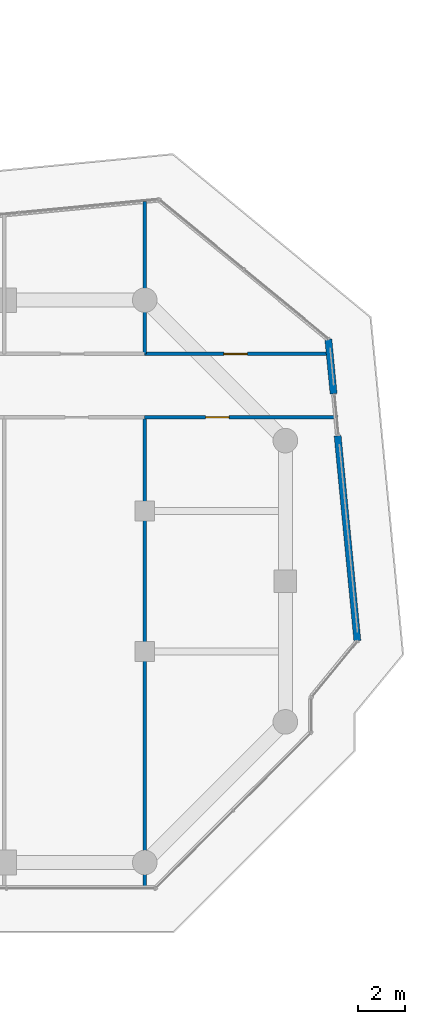
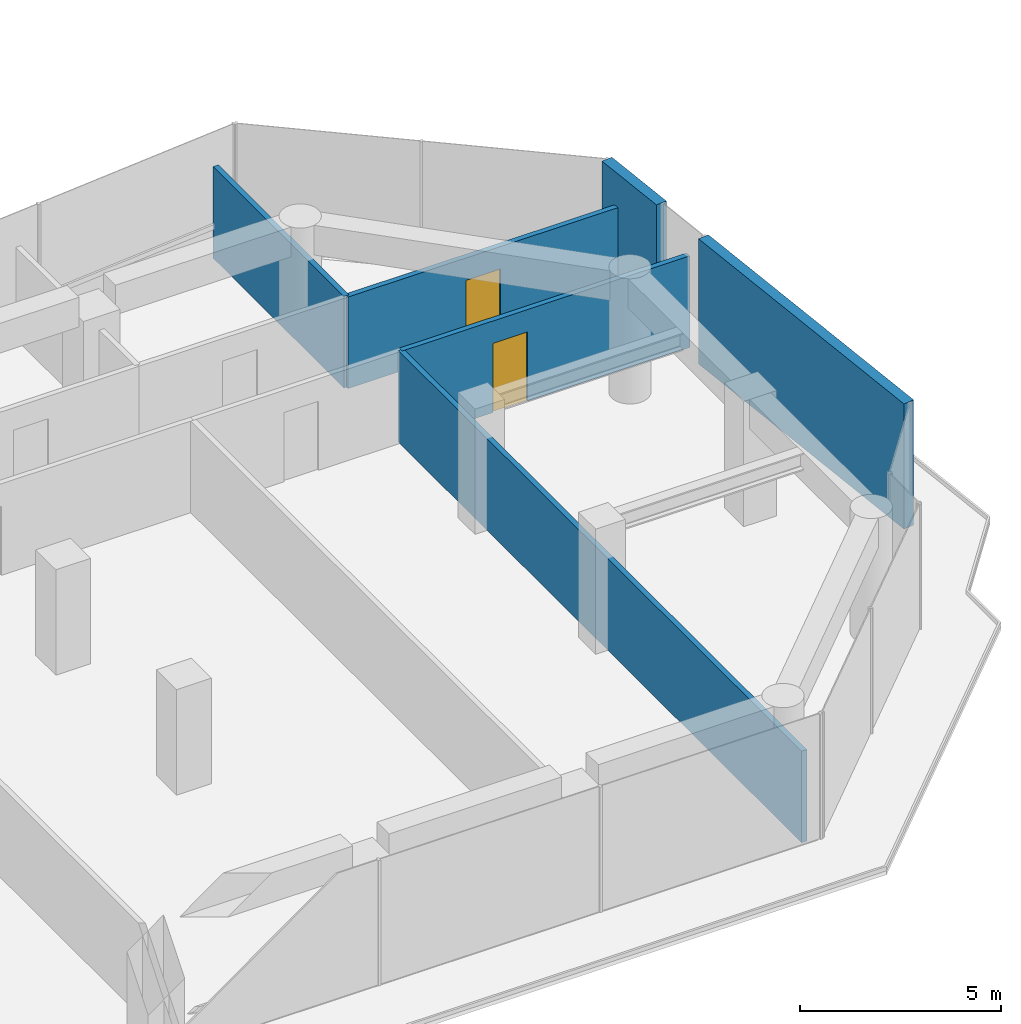
# One storey, part 27 of 30: 6 walls, 2 doors, 2 openings.
"""IFC4 building model written with IfcOpenShell, lengths in metres."""

from ifc_helpers import new_model, si_unit, direction, frame, frame_2d, origin, place, context, subcontext, project, spatial, rectangle, extrude, material, layer, layer_set, type_object, element, fill, save


model = new_model("IFC4")

# Units and contexts
model_context = context("Model", 3, precision=1e-05, world=origin(), true_north=direction((0.0, 1.0)))
body_context = subcontext(model_context, "Body", "Model", "MODEL_VIEW")
ifc_project = project(units=[si_unit("LENGTHUNIT", "METRE"), si_unit("AREAUNIT", "SQUARE_METRE"), si_unit("VOLUMEUNIT", "CUBIC_METRE"), si_unit("PLANEANGLEUNIT", "RADIAN"), si_unit("MASSUNIT", "GRAM", prefix="KILO")], contexts=[model_context])

# Site, building, storey
site_placement = place(None, origin())
site = spatial("IfcSite", under=ifc_project, at=site_placement, CompositionType="ELEMENT")
building_placement = place(site_placement, origin())
building = spatial("IfcBuilding", under=site, at=building_placement, Name="Welwitschia Terrace Campus", CompositionType="ELEMENT")
storey_placement = place(building_placement, frame((0.0, 0.0, 75.199951171875)))
storey = spatial("IfcBuildingStorey", under=building, at=storey_placement, Name="L17", CompositionType="ELEMENT", Elevation=75.199951171875)

# Walls
ifc_material_1 = material(Name="Gypsum board on steel studs", Category="steel")
ifc_layer_1 = layer(ifc_material_1, 0.14990234375)
ifc_layer_set_1 = layer_set([ifc_layer_1], Name="Gypsum board on steel studs")
wall_type_1 = type_object("IfcWallType", Name="Corridor partition 150 EI 30", PredefinedType="PARTITIONING", material=ifc_layer_set_1)
wall_1_placement = place(storey_placement, frame((60.0, -5.06005859375, 0.0), z_axis=(0.0, 0.0, 1.0), x_axis=(0.0, 1.0, 0.0)))
element("IfcWall", 1, at=wall_1_placement, inside=storey, type_object=wall_type_1, Name="Partition", PredefinedType="PARTITIONING", context=body_context, shape_type="SweptSolid", body=[
    extrude(rectangle(XDim=20.06005859375, YDim=0.14990234375, at=frame_2d((10.030029296875, 0.0))), origin(), (0.0, 0.0, 1.0), 2.780029296875),
])
wall_2_placement = place(storey_placement, frame((60.0, 17.699951171875, 0.0), z_axis=(0.0, 0.0, 1.0), x_axis=(0.0, 1.0, 0.0)))
element("IfcWall", 2, at=wall_2_placement, inside=storey, type_object=wall_type_1, Name="Partition", PredefinedType="PARTITIONING", context=body_context, shape_type="SweptSolid", body=[
    extrude(rectangle(XDim=6.5, YDim=0.14990234375, at=frame_2d((3.25, 0.0))), origin(), (0.0, 0.0, 1.0), 2.780029296875),
])

# Wall, opening, door
wall_3_placement = place(storey_placement, frame((60.0, 17.699951171875, 0.0), z_axis=(0.0, 0.0, 1.0), x_axis=(1.0, 0.0, 0.0)))
wall_3 = element("IfcWall", 3, at=wall_3_placement, inside=storey, type_object=wall_type_1, Name="Partition", PredefinedType="PARTITIONING", context=body_context, shape_type="SweptSolid", body=[
    extrude(rectangle(XDim=7.99267578125, YDim=0.14990234375, at=frame_2d((3.996337890625, 0.0))), origin(), (0.0, 0.0, 1.0), 2.780029296875),
])
opening_1_placement = place(wall_3_placement, frame((3.3798828125, 0.0, 0.0)))
opening_1 = element("IfcOpeningElement", 4, at=opening_1_placement, cuts=wall_3, Name="Opening DI10", PredefinedType="OPENING", context=body_context, shape_type="SweptSolid", body=[
    extrude(rectangle(XDim=1.0, YDim=2.10009765625, at=frame_2d((0.5, 1.050048828125))), frame((0.0, 0.0849609375, 0.0), z_axis=(0.0, -1.0, 0.0), x_axis=(1.0, 0.0, 0.0)), (0.0, 0.0, 1.0), 0.169921875),
])
ifc_material_2 = material(Name="Timber veneered door", Category="wood")
door_type = type_object("IfcDoorType", Name="Interior door DI10", OperationType="NOTDEFINED", PredefinedType="DOOR", material=ifc_material_2)
door_1_placement = place(opening_1_placement, origin())
door_1 = element("IfcDoor", 5, at=door_1_placement, inside=storey, type_object=door_type, Name="Door L17 407", OperationType="SINGLE_SWING_RIGHT", OverallHeight=2.10009765625, OverallWidth=1.0, PredefinedType="DOOR", context=body_context, shape_type="SweptSolid", body=[
    extrude(rectangle(XDim=1.0, YDim=2.10009765625, at=frame_2d((0.5, 1.050048828125))), frame((0.0, 0.02490234375, 0.0), z_axis=(0.0, -1.0, 0.0), x_axis=(1.0, 0.0, 0.0)), (0.0, 0.0, 1.0), 0.050048828125),
])
fill(opening_1, door_1)

wall_4_placement = place(storey_placement, frame((68.252685546875, 15.0, 0.0), z_axis=(0.0, 0.0, 1.0), x_axis=(-1.0, 0.0, 0.0)))
wall_4 = element("IfcWall", 6, at=wall_4_placement, inside=storey, type_object=wall_type_1, Name="Partition", PredefinedType="PARTITIONING", context=body_context, shape_type="SweptSolid", body=[
    extrude(rectangle(XDim=8.252685546875, YDim=0.14990234375, at=frame_2d((4.12646484375, 0.0))), origin(), (0.0, 0.0, 1.0), 2.780029296875),
])
opening_2_placement = place(wall_4_placement, frame((4.652587890625, 0.0, 0.0)))
opening_2 = element("IfcOpeningElement", 7, at=opening_2_placement, cuts=wall_4, Name="Opening DI10", PredefinedType="OPENING", context=body_context, shape_type="SweptSolid", body=[
    extrude(rectangle(XDim=1.0, YDim=2.10009765625, at=frame_2d((0.5, 1.050048828125))), frame((0.0, 0.0849609375, 0.0), z_axis=(0.0, -1.0, 0.0), x_axis=(1.0, 0.0, 0.0)), (0.0, 0.0, 1.0), 0.169921875),
])
door_2_placement = place(opening_2_placement, origin())
door_2 = element("IfcDoor", 8, at=door_2_placement, inside=storey, type_object=door_type, Name="Door L17 408", OperationType="SINGLE_SWING_LEFT", OverallHeight=2.10009765625, OverallWidth=1.0, PredefinedType="DOOR", context=body_context, shape_type="SweptSolid", body=[
    extrude(rectangle(XDim=1.0, YDim=2.10009765625, at=frame_2d((0.5, 1.050048828125))), frame((0.0, 0.02490234375, 0.0), z_axis=(0.0, -1.0, 0.0), x_axis=(1.0, 0.0, 0.0)), (0.0, 0.0, 1.0), 0.050048828125),
])
fill(opening_2, door_2)

# Walls
ifc_material_3 = material(Name="Concrete C40/50", Category="concrete")
ifc_layer_2 = layer(ifc_material_3, 0.300048828125)
ifc_layer_set_2 = layer_set([ifc_layer_2], Name="Concrete C40/50")
wall_type_2 = type_object("IfcWallType", Name="Mass wall 300", PredefinedType="SOLIDWALL", material=ifc_layer_set_2)
wall_5_placement = place(storey_placement, frame((69.073486328125, 5.458740234375, 0.0), z_axis=(0.0, 0.0, 1.0), x_axis=(-0.095854735149, 0.995395333397, 0.0)))
element("IfcWall", 9, at=wall_5_placement, inside=storey, type_object=wall_type_2, Name="Mass wall L17.7.0", PredefinedType="SOLIDWALL", context=body_context, shape_type="SweptSolid", body=[
    extrude(rectangle(XDim=8.792236328125, YDim=0.300048828125, at=frame_2d((4.39599609375, 0.0))), origin(), (0.0, 0.0, 1.0), 3.800048828125),
])
wall_6_placement = place(storey_placement, frame((68.058349609375, 16.002197265625, 0.0), z_axis=(0.0, 0.0, 1.0), x_axis=(-0.095852132121, 0.995395584061, 0.0)))
element("IfcWall", 10, at=wall_6_placement, inside=storey, type_object=wall_type_2, Name="Mass wall L17.7.1", PredefinedType="SOLIDWALL", context=body_context, shape_type="SweptSolid", body=[
    extrude(rectangle(XDim=2.33056640625, YDim=0.300048828125, at=frame_2d((1.165283203125, 0.0))), origin(), (0.0, 0.0, 1.0), 3.800048828125),
])

save(model, "model.ifc")
